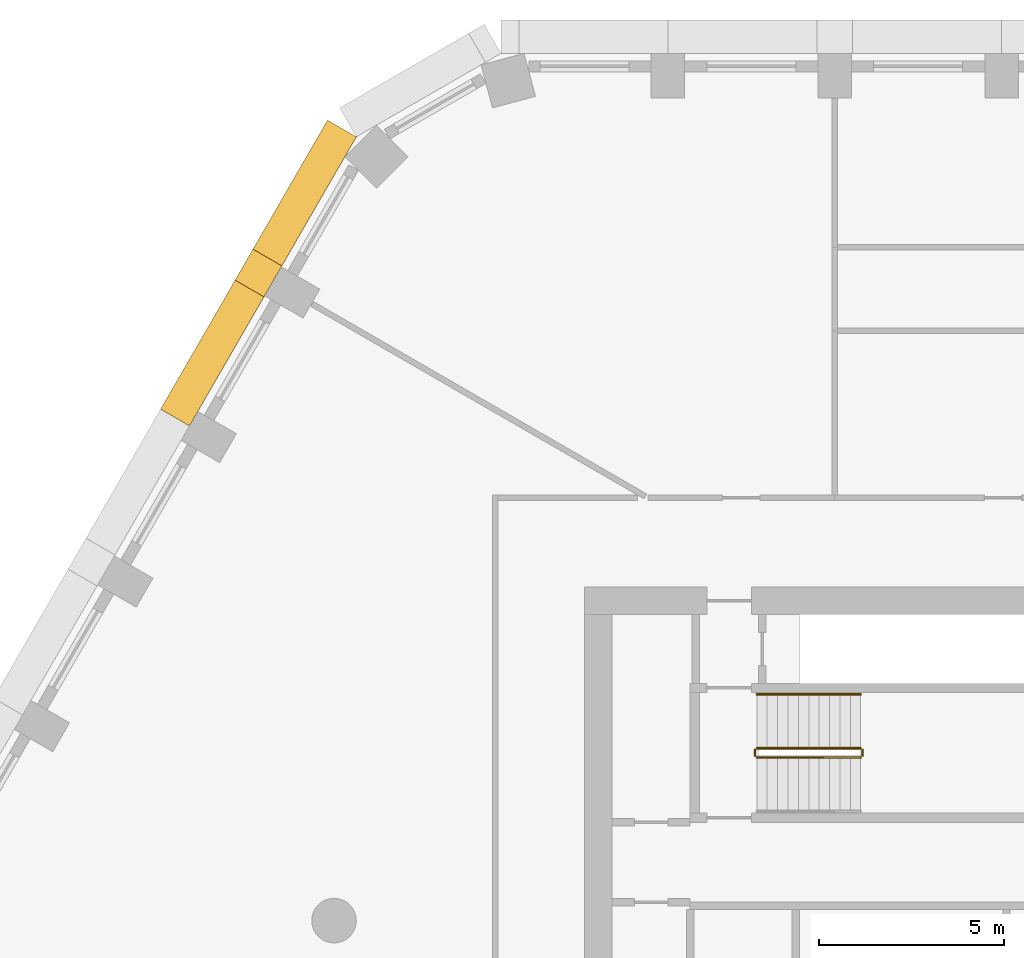
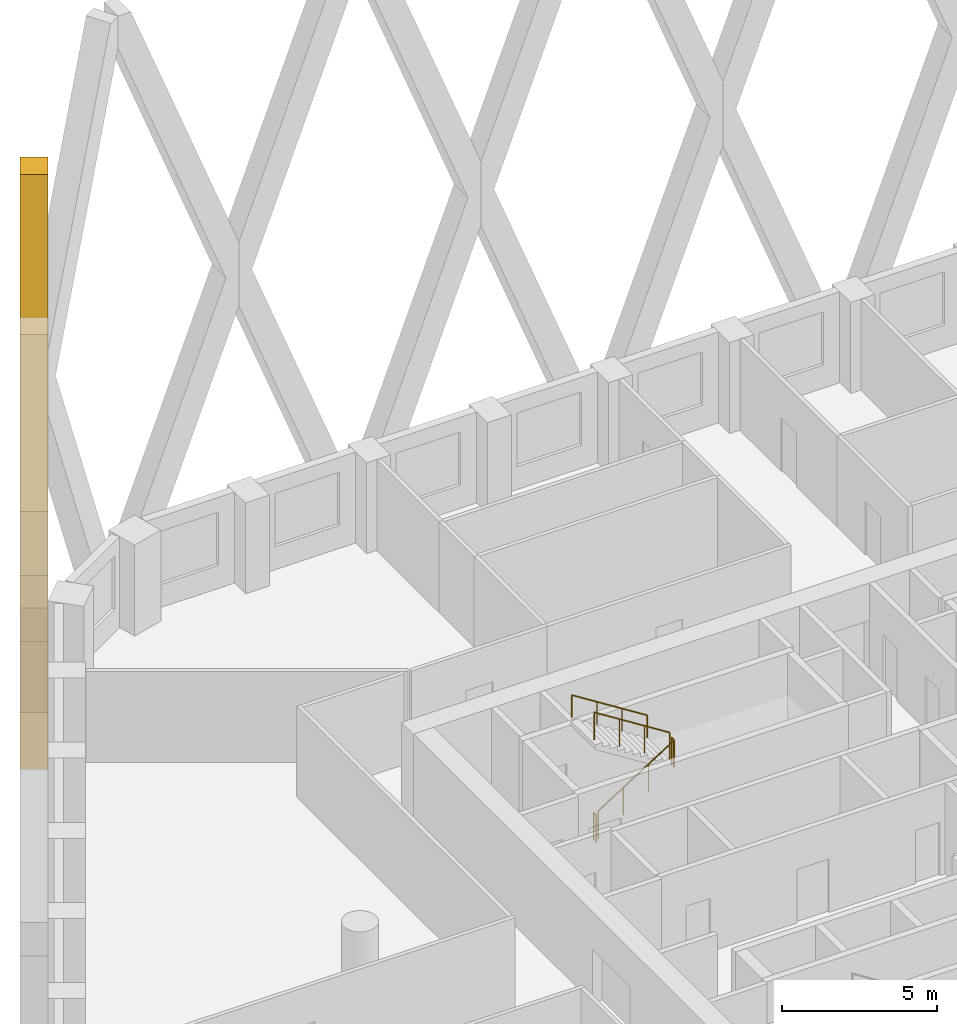
# One storey, part 14 of 17: 5 railings, 1 covering.
"""IFC4 building model written with IfcOpenShell, lengths in metres."""

from ifc_helpers import new_model, si_unit, direction, frame, origin, origin_2d, place, context, subcontext, project, spatial, polyline, circle, outline, extrude, material, type_object, element, save


model = new_model("IFC4")

# Units and contexts
model_context = context("Model", 3, precision=1e-05, world=origin(), true_north=direction((0.0, 1.0)))
body_context = subcontext(model_context, "Body", "Model", "MODEL_VIEW")
ifc_project = project(units=[si_unit("LENGTHUNIT", "METRE"), si_unit("AREAUNIT", "SQUARE_METRE"), si_unit("VOLUMEUNIT", "CUBIC_METRE"), si_unit("PLANEANGLEUNIT", "RADIAN"), si_unit("MASSUNIT", "GRAM", prefix="KILO")], contexts=[model_context])

# Site, building, storey
site_placement = place(None, origin())
site = spatial("IfcSite", under=ifc_project, at=site_placement, CompositionType="ELEMENT")
building_placement = place(site_placement, origin())
building = spatial("IfcBuilding", under=site, at=building_placement, Name="Dhurran Vertical Campus", CompositionType="ELEMENT")
storey_placement = place(building_placement, frame((0.0, 0.0, 156.0)))
storey = spatial("IfcBuildingStorey", under=building, at=storey_placement, Name="L38", CompositionType="ELEMENT", Elevation=156.0)

# Covering
ifc_material_1 = material(Name="Precast concrete C50/60", Category="concrete")
covering_type = type_object("IfcCoveringType", Name="Folded precast fin lattice diamond", PredefinedType="USERDEFINED", material=ifc_material_1)
covering_placement = place(storey_placement, frame((-21.897216796875, 25.6328125, 0.0), z_axis=(-0.866013897511, 0.50001992892, 0.0), x_axis=(-0.50001992892, -0.866013897511, 0.0)))
element("IfcCovering", 1, at=covering_placement, inside=storey, type_object=covering_type, Name="FN1 L38.021", ObjectType="FIN", PredefinedType="USERDEFINED", context=body_context, shape_type="SweptSolid", body=[
    extrude(outline(polyline([(9.0, 12.95361328125), (9.0, 10.4462890625), (4.982177734375, 0.0), (4.017822265625, 0.0), (0.0, 10.4462890625), (0.0, 12.95361328125), (4.017822265625, 23.39990234375), (4.982177734375, 23.39990234375), (9.0, 12.95361328125)]), holes=[polyline([(8.517822265625, 11.699951171875), (4.5, 22.146484375), (0.482177734375, 11.699951171875), (4.5, 1.253662109375), (8.517822265625, 11.699951171875)])]), origin(), (0.0, 0.0, 1.0), 0.89990234375),
])

# Railings
ifc_material_2 = material(Name="Stainless steel balustrade", Category="steel")
railing_type_1 = type_object("IfcRailingType", Name="co-RL-GUARD-1100", PredefinedType="GUARDRAIL", material=ifc_material_2)
railing_1_placement = place(storey_placement, frame((-11.10009765625, 8.89990234375, 0.17724609375)))
element("IfcRailing", 2, at=railing_1_placement, inside=storey, type_object=railing_type_1, Name="L38 ST1 stair guard 1", PredefinedType="GUARDRAIL", context=body_context, shape_type="SweptSolid", body=[
    extrude(circle(Radius=0.02392578125, at=origin_2d()), frame((0.0, 0.0, 1.076171875), z_axis=(0.844908973607, 0.0, 0.534910110503), x_axis=(0.0, 1.0, 0.0)), (0.0, 0.0, 1.0), 3.31396484375),
    extrude(circle(Radius=0.02099609375, at=origin_2d()), origin(), (0.0, 0.0, 1.0), 1.052001953125),
    extrude(circle(Radius=0.02099609375, at=origin_2d()), frame((0.933349609375, 0.0, 0.5908203125)), (0.0, 0.0, 1.0), 1.052001953125),
    extrude(circle(Radius=0.02099609375, at=origin_2d()), frame((1.86669921875, 0.0, 1.181884765625)), (0.0, 0.0, 1.0), 1.052001953125),
    extrude(circle(Radius=0.02099609375, at=origin_2d()), frame((2.800048828125, 0.0, 1.772705078125)), (0.0, 0.0, 1.0), 1.052001953125),
])
railing_2_placement = place(storey_placement, frame((-8.25, 8.949951171875, 1.949951171875)))
element("IfcRailing", 3, at=railing_2_placement, inside=storey, type_object=railing_type_1, Name="L38 ST1 stair guard 2", PredefinedType="GUARDRAIL", context=body_context, shape_type="SweptSolid", body=[
    extrude(circle(Radius=0.02392578125, at=origin_2d()), frame((0.0, 0.0, 1.076171875), z_axis=(0.0, 1.0, 0.0), x_axis=(-1.0, 0.0, 0.0)), (0.0, 0.0, 1.0), 0.150146484375),
    extrude(circle(Radius=0.02099609375, at=origin_2d()), origin(), (0.0, 0.0, 1.0), 1.052001953125),
    extrude(circle(Radius=0.02099609375, at=origin_2d()), frame((0.0, 0.150146484375, 0.0)), (0.0, 0.0, 1.0), 1.052001953125),
])
railing_3_placement = place(storey_placement, frame((-8.300048828125, 9.14990234375, 2.127197265625)))
element("IfcRailing", 4, at=railing_3_placement, inside=storey, type_object=railing_type_1, Name="L38 ST1 stair guard 3", PredefinedType="GUARDRAIL", context=body_context, shape_type="SweptSolid", body=[
    extrude(circle(Radius=0.02392578125, at=origin_2d()), frame((0.0, 0.0, 1.076171875), z_axis=(-0.844908973607, 0.0, 0.534910110503), x_axis=(0.0, -1.0, 0.0)), (0.0, 0.0, 1.0), 3.31396484375),
    extrude(circle(Radius=0.02099609375, at=origin_2d()), origin(), (0.0, 0.0, 1.0), 1.052001953125),
    extrude(circle(Radius=0.02099609375, at=origin_2d()), frame((-0.933349609375, 0.0, 0.5908203125)), (0.0, 0.0, 1.0), 1.052001953125),
    extrude(circle(Radius=0.02099609375, at=origin_2d()), frame((-1.86669921875, 0.0, 1.181884765625)), (0.0, 0.0, 1.0), 1.052001953125),
    extrude(circle(Radius=0.02099609375, at=origin_2d()), frame((-2.800048828125, 0.0, 1.772705078125)), (0.0, 0.0, 1.0), 1.052001953125),
])
railing_4_placement = place(storey_placement, frame((-11.14990234375, 8.949951171875, 0.0)))
element("IfcRailing", 5, at=railing_4_placement, inside=storey, type_object=railing_type_1, Name="L38 ST1 stair guard 4", PredefinedType="GUARDRAIL", context=body_context, shape_type="SweptSolid", body=[
    extrude(circle(Radius=0.02392578125, at=origin_2d()), frame((0.0, 0.0, 1.076171875), z_axis=(0.0, 1.0, 0.0), x_axis=(-1.0, 0.0, 0.0)), (0.0, 0.0, 1.0), 0.150146484375),
    extrude(circle(Radius=0.02099609375, at=origin_2d()), origin(), (0.0, 0.0, 1.0), 1.052001953125),
    extrude(circle(Radius=0.02099609375, at=origin_2d()), frame((0.0, 0.150146484375, 0.0)), (0.0, 0.0, 1.0), 1.052001953125),
])
ifc_material_3 = material(Name="Stainless steel handrail", Category="steel")
railing_type_2 = type_object("IfcRailingType", Name="co-RL-HANDRAIL-900", PredefinedType="HANDRAIL", material=ifc_material_3)
railing_5_placement = place(storey_placement, frame((-8.300048828125, 10.60009765625, 2.127197265625)))
element("IfcRailing", 6, at=railing_5_placement, inside=storey, type_object=railing_type_2, Name="L38 ST1 stair handrail 2", PredefinedType="HANDRAIL", context=body_context, shape_type="SweptSolid", body=[
    extrude(circle(Radius=0.02392578125, at=origin_2d()), frame((0.0, 0.0, 0.8759765625), z_axis=(-0.844908973607, 0.0, 0.534910110503), x_axis=(0.0, -1.0, 0.0)), (0.0, 0.0, 1.0), 3.31396484375),
    extrude(circle(Radius=0.02099609375, at=origin_2d()), origin(), (0.0, 0.0, 1.0), 0.851806640625),
    extrude(circle(Radius=0.02099609375, at=origin_2d()), frame((-0.933349609375, 0.0, 0.5908203125)), (0.0, 0.0, 1.0), 0.851806640625),
    extrude(circle(Radius=0.02099609375, at=origin_2d()), frame((-1.86669921875, 0.0, 1.181884765625)), (0.0, 0.0, 1.0), 0.851806640625),
    extrude(circle(Radius=0.02099609375, at=origin_2d()), frame((-2.800048828125, 0.0, 1.772705078125)), (0.0, 0.0, 1.0), 0.851806640625),
])

save(model, "model.ifc")
